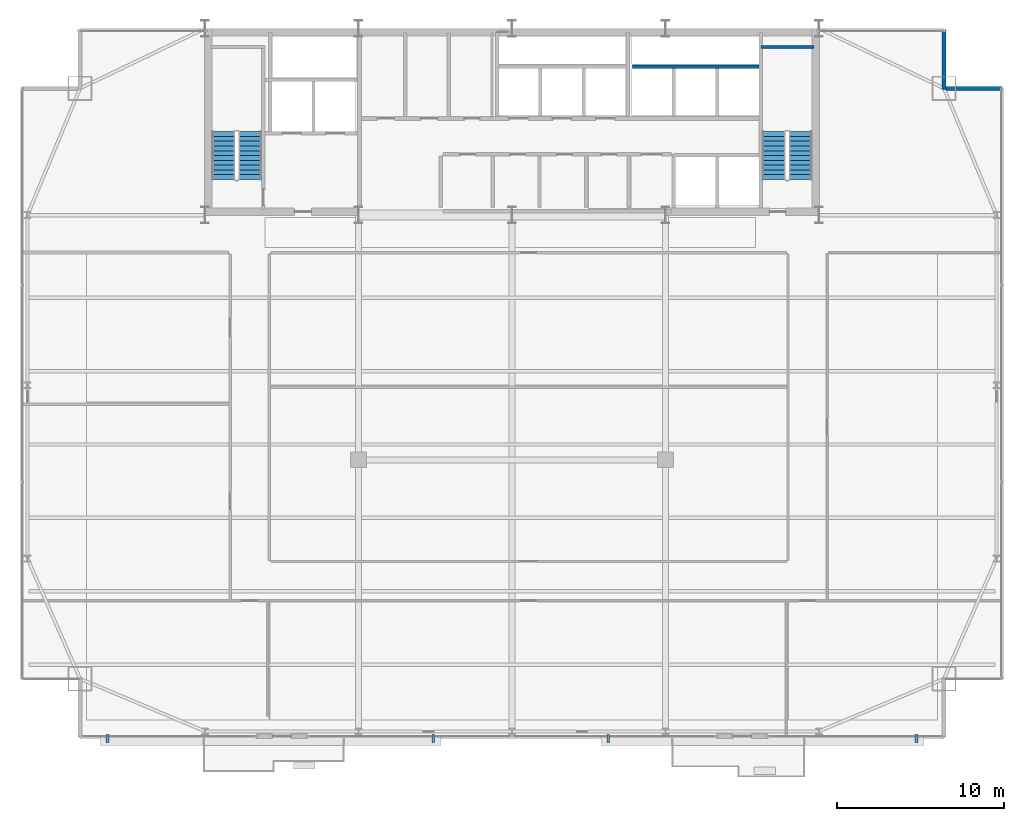
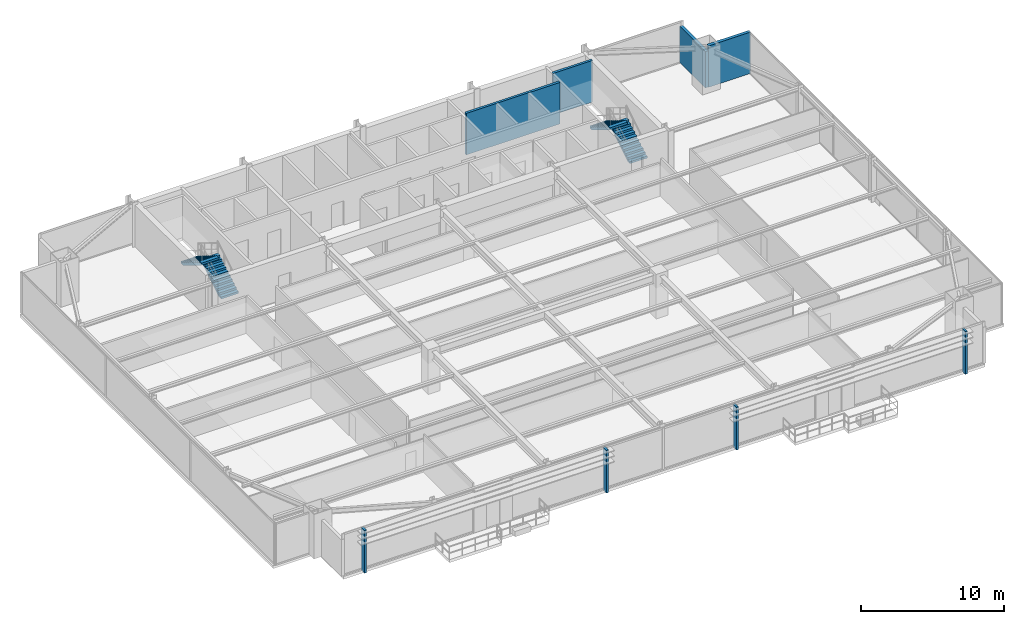
# One storey, part 32 of 34: 4 discrete accessories, 4 stair flights, 4 walls, 2 elements without a shape of their own.
"""IFC4 building model written with IfcOpenShell, lengths in metres."""

from ifc_helpers import new_model, si_unit, direction, frame, frame_2d, origin, origin_2d, place, context, subcontext, project, spatial, polyline, rectangle, outline, extrude, source, transform, mapped, material, layer, layer_set, type_object, type_shapes, element, aggregate, save


model = new_model("IFC4")

# Units and contexts
model_context = context("Model", 3, precision=1e-05, world=origin(), true_north=direction((0.0, 1.0)))
body_context = subcontext(model_context, "Body", "Model", "MODEL_VIEW")
ifc_project = project(units=[si_unit("LENGTHUNIT", "METRE"), si_unit("AREAUNIT", "SQUARE_METRE"), si_unit("VOLUMEUNIT", "CUBIC_METRE"), si_unit("PLANEANGLEUNIT", "RADIAN"), si_unit("MASSUNIT", "GRAM", prefix="KILO")], contexts=[model_context])

# Site, building, storey
site_placement = place(None, origin())
site = spatial("IfcSite", under=ifc_project, at=site_placement, CompositionType="ELEMENT")
building_placement = place(site_placement, origin())
building = spatial("IfcBuilding", under=site, at=building_placement, Name="Varnel Quay Broadcast Tower", CompositionType="ELEMENT")
storey_placement = place(building_placement, frame((0.0, 0.0, 110.60009765625)))
storey = spatial("IfcBuildingStorey", under=building, at=storey_placement, Name="L26", CompositionType="ELEMENT", Elevation=110.60009765625)

# Walls
ifc_material_1 = material(Name="Concrete CSA A23.3 C50/60", Category="concrete")
ifc_layer_1 = layer(ifc_material_1, 0.199951171875, Name="Concrete CSA A23.3 C50/60")
ifc_layer_set_1 = layer_set([ifc_layer_1], Name="Concrete CSA A23.3 C50/60")
wall_type_1 = type_object("IfcWallType", Name="Wall_CoreShaftShear200", PredefinedType="SHEAR", material=ifc_layer_set_1)
wall_1_placement = place(storey_placement, frame((48.919921875, 45.679931640625, 0.0), z_axis=(0.0, 0.0, 1.0), x_axis=(1.0, 0.0, 0.0)))
element("IfcWall", 1, at=wall_1_placement, inside=storey, type_object=wall_type_1, Name="L26 Stair 2 North Structural Wall", PredefinedType="SHEAR", context=body_context, shape_type="SweptSolid", body=[
    extrude(rectangle(XDim=3.18017578125, YDim=0.199951171875, at=frame_2d((1.590087890625, 0.0))), origin(), (0.0, 0.0, 1.0), 3.5498046875),
])
wall_2_placement = place(storey_placement, frame((41.219970703125, 44.5, 0.0), z_axis=(0.0, 0.0, 1.0), x_axis=(1.0, 0.0, 0.0)))
element("IfcWall", 2, at=wall_2_placement, inside=storey, type_object=wall_type_1, Name="L26 High-Rise Lift Shaft Rear Wall", PredefinedType="SHEAR", context=body_context, shape_type="SweptSolid", body=[
    extrude(rectangle(XDim=7.580078125, YDim=0.199951171875, at=frame_2d((3.7900390625, 0.0))), origin(), (0.0, 0.0, 1.0), 3.5498046875),
])
ifc_material_2 = material(Name="Precast Architectural Concrete C40/50", Category="concrete")
ifc_layer_2 = layer(ifc_material_2, 0.25, Name="Precast Architectural Concrete C40/50")
ifc_layer_set_2 = layer_set([ifc_layer_2], Name="Precast Architectural Concrete C40/50")
wall_type_2 = type_object("IfcWallType", Name="Wall_ExtTerrace250", PredefinedType="SOLIDWALL", material=ifc_layer_set_2)
wall_3_placement = place(storey_placement, frame((60.030029296875, 43.199951171875, 0.0), z_axis=(0.0, 0.0, 1.0), x_axis=(1.0, 0.0, 0.0)))
element("IfcWall", 3, at=wall_3_placement, inside=storey, type_object=wall_type_2, Name="L26 Mega-Column Notch Cladding Wall NNE1", PredefinedType="SOLIDWALL", context=body_context, shape_type="SweptSolid", body=[
    extrude(rectangle(XDim=3.389892578125, YDim=0.25, at=frame_2d((1.69482421875, 0.0))), origin(), (0.0, 0.0, 1.0), 3.52978515625),
])
wall_4_placement = place(storey_placement, frame((59.89990234375, 43.1201171875, 0.0), z_axis=(0.0, 0.0, 1.0), x_axis=(0.0, 1.0, 0.0)))
element("IfcWall", 4, at=wall_4_placement, inside=storey, type_object=wall_type_2, Name="L26 Mega-Column Notch Cladding Wall NNE2", PredefinedType="SOLIDWALL", context=body_context, shape_type="SweptSolid", body=[
    extrude(rectangle(XDim=3.599853515625, YDim=0.25, at=frame_2d((1.7998046875, 0.0))), origin(), (0.0, 0.0, 1.0), 3.10791015625),
])

# Stair, stair flights
ifc_material_3 = material(Name="Precast Structural Concrete C40/50", Category="concrete")
stair_type_1 = type_object("IfcStairType", Name="Stair_ST-01", PredefinedType="HALF_TURN_STAIR", material=ifc_material_3)
stair_1_placement = place(storey_placement, origin())
stair_1 = element("IfcStair", 5, at=stair_1_placement, inside=storey, type_object=stair_type_1, Name="L26 West Core Exit Stair 1", PredefinedType="HALF_TURN_STAIR")
stair_flight_type_1 = type_object("IfcStairFlightType", Name="Flight_ST-01", PredefinedType="STRAIGHT", material=ifc_material_3)
stair_flight_1_placement = place(storey_placement, frame((18.300048828125, 37.75, 0.0), z_axis=(0.0, 0.0, 1.0), x_axis=(0.0, 1.0, 0.0)))
stair_flight_1 = element("IfcStairFlight", 6, at=stair_flight_1_placement, type_object=stair_flight_type_1, Name="ST-01 flight 1", NumberOfRisers=11, NumberOfTreads=10, PredefinedType="STRAIGHT", RiserHeight=0.172727273, TreadLength=0.285, context=body_context, shape_type="SweptSolid", body=[
    extrude(outline(polyline([(0.0, 0.0), (0.0, 0.172607421875), (0.284912109375, 0.172607421875), (0.284912109375, 0.345458984375), (0.570068359375, 0.345458984375), (0.570068359375, 0.51806640625), (0.85498046875, 0.51806640625), (0.85498046875, 0.69091796875), (1.139892578125, 0.69091796875), (1.139892578125, 0.863525390625), (1.425048828125, 0.863525390625), (1.425048828125, 1.036376953125), (1.7099609375, 1.036376953125), (1.7099609375, 1.208984375), (1.9951171875, 1.208984375), (1.9951171875, 1.3818359375), (2.280029296875, 1.3818359375), (2.280029296875, 1.554443359375), (2.56494140625, 1.554443359375), (2.56494140625, 1.727294921875), (2.85009765625, 1.727294921875), (2.85009765625, 1.89990234375), (2.85009765625, 1.552001953125), (0.289306640625, 0.0), (0.0, 0.0)])), frame((0.0, 0.699951171875, 0.0), z_axis=(0.0, -1.0, 0.0), x_axis=(1.0, 0.0, 0.0)), (0.0, 0.0, 1.0), 1.39990234375),
])
stair_flight_2_placement = place(storey_placement, frame((16.699951171875, 40.60009765625, 1.89990234375), z_axis=(0.0, 0.0, 1.0), x_axis=(0.0, -1.0, 0.0)))
stair_flight_2 = element("IfcStairFlight", 7, at=stair_flight_2_placement, type_object=stair_flight_type_1, Name="ST-01 flight 2", NumberOfRisers=11, NumberOfTreads=10, PredefinedType="STRAIGHT", RiserHeight=0.172727273, TreadLength=0.285, context=body_context, shape_type="SweptSolid", body=[
    extrude(outline(polyline([(0.0, 0.0), (0.0, 0.172607421875), (0.284912109375, 0.172607421875), (0.284912109375, 0.345458984375), (0.570068359375, 0.345458984375), (0.570068359375, 0.51806640625), (0.85498046875, 0.51806640625), (0.85498046875, 0.69091796875), (1.139892578125, 0.69091796875), (1.139892578125, 0.863525390625), (1.425048828125, 0.863525390625), (1.425048828125, 1.036376953125), (1.7099609375, 1.036376953125), (1.7099609375, 1.208984375), (1.9951171875, 1.208984375), (1.9951171875, 1.3818359375), (2.280029296875, 1.3818359375), (2.280029296875, 1.554443359375), (2.56494140625, 1.554443359375), (2.56494140625, 1.727294921875), (2.85009765625, 1.727294921875), (2.85009765625, 1.89990234375), (2.85009765625, 1.552001953125), (0.289306640625, 0.0), (0.0, 0.0)])), frame((0.0, 0.699951171875, 0.0), z_axis=(0.0, -1.0, 0.0), x_axis=(1.0, 0.0, 0.0)), (0.0, 0.0, 1.0), 1.39990234375),
])
aggregate(stair_1, [stair_flight_1, stair_flight_2])

stair_type_2 = type_object("IfcStairType", Name="Stair_ST-02", PredefinedType="HALF_TURN_STAIR", material=ifc_material_3)
stair_2_placement = place(storey_placement, origin())
stair_2 = element("IfcStair", 8, at=stair_2_placement, inside=storey, type_object=stair_type_2, Name="L26 East Core Exit Stair 2", PredefinedType="HALF_TURN_STAIR")
stair_flight_type_2 = type_object("IfcStairFlightType", Name="Flight_ST-02", PredefinedType="STRAIGHT", material=ifc_material_3)
stair_flight_3_placement = place(storey_placement, frame((51.300048828125, 37.75, 0.0), z_axis=(0.0, 0.0, 1.0), x_axis=(0.0, 1.0, 0.0)))
stair_flight_3 = element("IfcStairFlight", 9, at=stair_flight_3_placement, type_object=stair_flight_type_2, Name="ST-02 flight 1", NumberOfRisers=11, NumberOfTreads=10, PredefinedType="STRAIGHT", RiserHeight=0.172727273, TreadLength=0.285, context=body_context, shape_type="SweptSolid", body=[
    extrude(outline(polyline([(0.0, 0.0), (0.0, 0.172607421875), (0.284912109375, 0.172607421875), (0.284912109375, 0.345458984375), (0.570068359375, 0.345458984375), (0.570068359375, 0.51806640625), (0.85498046875, 0.51806640625), (0.85498046875, 0.69091796875), (1.139892578125, 0.69091796875), (1.139892578125, 0.863525390625), (1.425048828125, 0.863525390625), (1.425048828125, 1.036376953125), (1.7099609375, 1.036376953125), (1.7099609375, 1.208984375), (1.9951171875, 1.208984375), (1.9951171875, 1.3818359375), (2.280029296875, 1.3818359375), (2.280029296875, 1.554443359375), (2.56494140625, 1.554443359375), (2.56494140625, 1.727294921875), (2.85009765625, 1.727294921875), (2.85009765625, 1.89990234375), (2.85009765625, 1.552001953125), (0.289306640625, 0.0), (0.0, 0.0)])), frame((0.0, 0.699951171875, 0.0), z_axis=(0.0, -1.0, 0.0), x_axis=(1.0, 0.0, 0.0)), (0.0, 0.0, 1.0), 1.39990234375),
])
stair_flight_4_placement = place(storey_placement, frame((49.699951171875, 40.60009765625, 1.89990234375), z_axis=(0.0, 0.0, 1.0), x_axis=(0.0, -1.0, 0.0)))
stair_flight_4 = element("IfcStairFlight", 10, at=stair_flight_4_placement, type_object=stair_flight_type_2, Name="ST-02 flight 2", NumberOfRisers=11, NumberOfTreads=10, PredefinedType="STRAIGHT", RiserHeight=0.172727273, TreadLength=0.285, context=body_context, shape_type="SweptSolid", body=[
    extrude(outline(polyline([(0.0, 0.0), (0.0, 0.172607421875), (0.284912109375, 0.172607421875), (0.284912109375, 0.345458984375), (0.570068359375, 0.345458984375), (0.570068359375, 0.51806640625), (0.85498046875, 0.51806640625), (0.85498046875, 0.69091796875), (1.139892578125, 0.69091796875), (1.139892578125, 0.863525390625), (1.425048828125, 0.863525390625), (1.425048828125, 1.036376953125), (1.7099609375, 1.036376953125), (1.7099609375, 1.208984375), (1.9951171875, 1.208984375), (1.9951171875, 1.3818359375), (2.280029296875, 1.3818359375), (2.280029296875, 1.554443359375), (2.56494140625, 1.554443359375), (2.56494140625, 1.727294921875), (2.85009765625, 1.727294921875), (2.85009765625, 1.89990234375), (2.85009765625, 1.552001953125), (0.289306640625, 0.0), (0.0, 0.0)])), frame((0.0, 0.699951171875, 0.0), z_axis=(0.0, -1.0, 0.0), x_axis=(1.0, 0.0, 0.0)), (0.0, 0.0, 1.0), 1.39990234375),
])
aggregate(stair_2, [stair_flight_3, stair_flight_4])

# Discrete accessories
ifc_material_4 = material(Name="Anodised Bronze Aluminium 6063-T6", Category="aluminium")
ifc_layer_3 = layer(ifc_material_4, 0.47998046875, Name="Anodised Bronze Aluminium 6063-T6")
ifc_layer_set_3 = layer_set([ifc_layer_3], Name="Anodised Bronze Aluminium 6063-T6")
discrete_accessory_type = type_object("IfcDiscreteAccessoryType", Name="Acc_FacadeBracket", PredefinedType="BRACKET", material=ifc_layer_set_3)
shared_shape = source(origin(), body_context, "Body", "SweptSolid", [
    extrude(rectangle(XDim=0.159912109375, YDim=0.47998046875, at=origin_2d()), origin(), (0.0, 0.0, 1.0), 3.64990234375),
])
type_shapes(discrete_accessory_type, [shared_shape])
for number, where, z_axis, x_axis, name in (
    (11, (9.75, 4.219970703125, -0.150146484375), (0.0, 0.0, 1.0), (1.0, 0.0, 0.0), "L26 Lobe 1 Louvre Support Bracket 1"),
    (12, (29.279052734375, 4.219970703125, -0.150146484375), (0.0, 0.0, 1.0), (1.0, 0.0, 0.0), "L26 Lobe 1 Louvre Support Bracket 2"),
    (13, (39.779052734375, 4.219970703125, -0.150146484375), (0.0, 0.0, 1.0), (1.0, 0.0, 0.0), "L26 Lobe 2 Louvre Support Bracket 1"),
    (14, (58.25, 4.219970703125, -0.150146484375), (0.0, 0.0, 1.0), (1.0, 0.0, 0.0), "L26 Lobe 2 Louvre Support Bracket 2"),
):
    element("IfcDiscreteAccessory", number, at=place(storey_placement, frame(where, z_axis=z_axis, x_axis=x_axis)), inside=storey, type_object=discrete_accessory_type, Name=name, PredefinedType="BRACKET", context=body_context, shape_type="MappedRepresentation", body=[
        mapped(shared_shape, transform((0.0, 0.0, 0.0), x_axis=(1.0, 0.0, 0.0), y_axis=(0.0, 1.0, 0.0), z_axis=(0.0, 0.0, 1.0), scale=1.0)),
    ])

save(model, "model.ifc")
